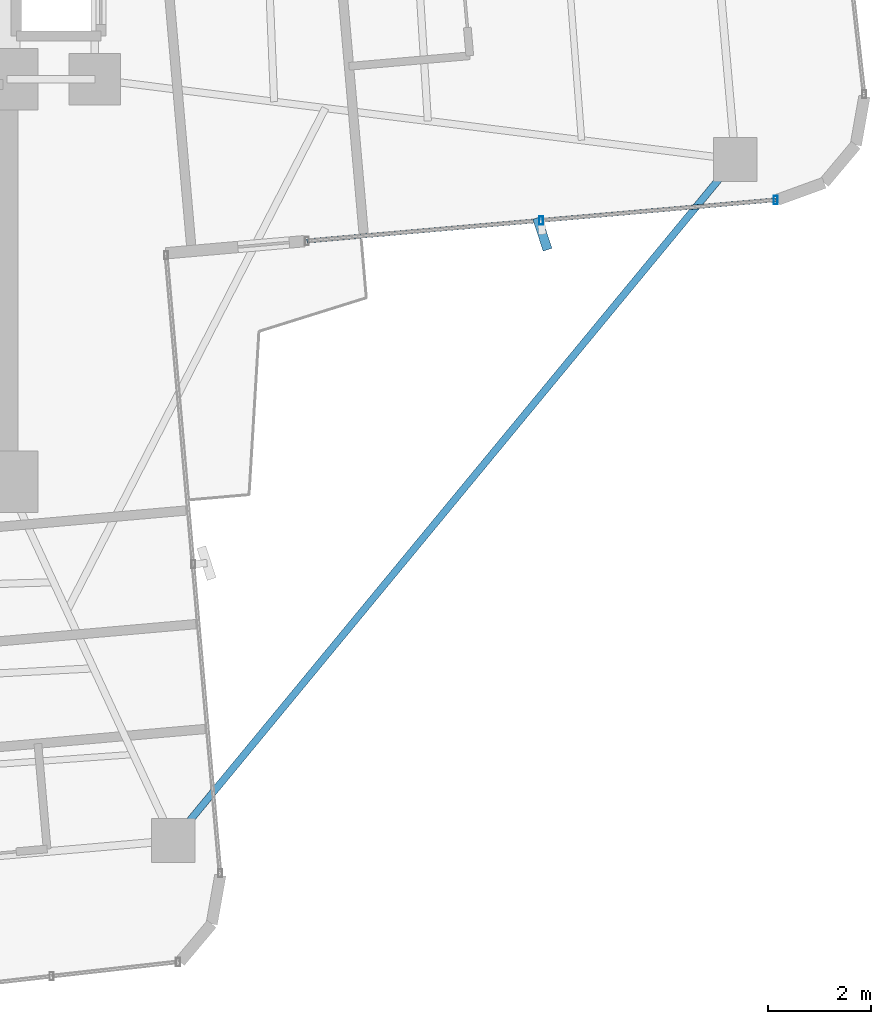
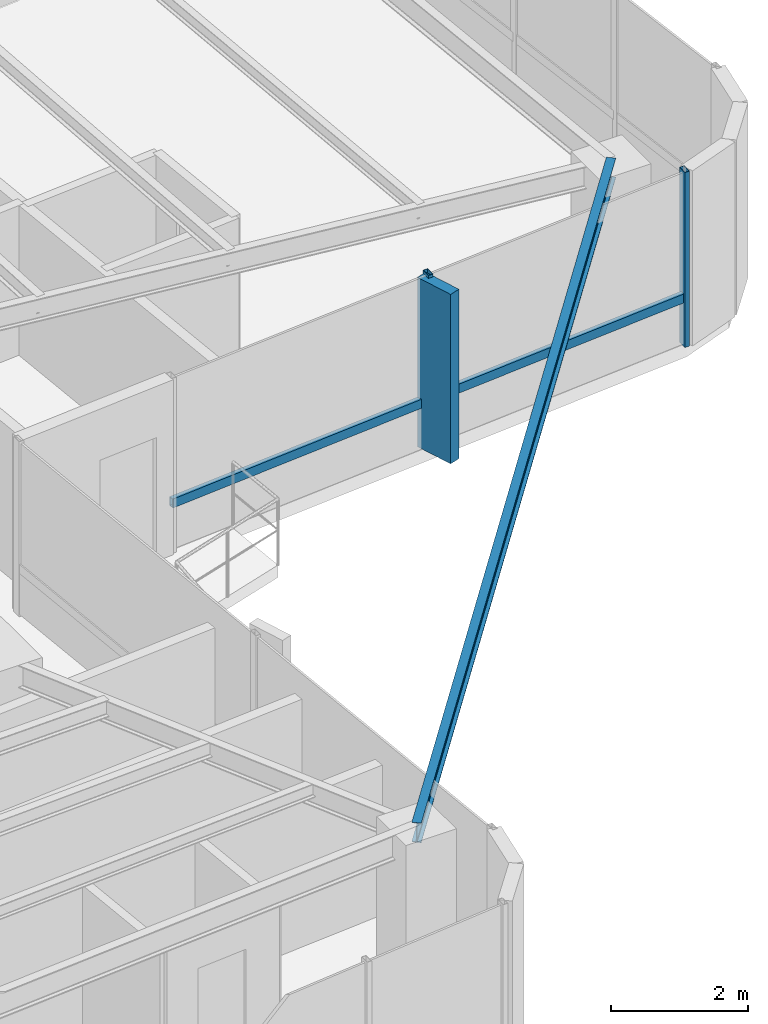
# One storey, part 13 of 24: 5 members, 1 beam, 1 element without a shape of its own.
"""IFC4 building model written with IfcOpenShell, lengths in metres."""

from ifc_helpers import new_model, si_unit, direction, frame, origin, origin_2d, place, context, subcontext, project, spatial, rectangle, hollow_rectangle, i_section, extrude, source, transform, mapped, material, material_profile, profile_set, type_object, element, aggregate, save


model = new_model("IFC4")

# Units and contexts
model_context = context("Model", 3, precision=1e-05, world=origin(), true_north=direction((0.0, 1.0)))
body_context = subcontext(model_context, "Body", "Model", "MODEL_VIEW")
ifc_project = project(units=[si_unit("LENGTHUNIT", "METRE"), si_unit("AREAUNIT", "SQUARE_METRE"), si_unit("VOLUMEUNIT", "CUBIC_METRE"), si_unit("PLANEANGLEUNIT", "RADIAN"), si_unit("MASSUNIT", "GRAM", prefix="KILO")], contexts=[model_context])

# Site, building, storey
site_placement = place(None, origin())
site = spatial("IfcSite", under=ifc_project, at=site_placement, CompositionType="ELEMENT")
building_placement = place(site_placement, origin())
building = spatial("IfcBuilding", under=site, at=building_placement, Name="Sahyath Konkavel Grand Hotel", CompositionType="ELEMENT")
storey_placement = place(building_placement, frame((0.0, 0.0, 195.300048828125)))
storey = spatial("IfcBuildingStorey", under=building, at=storey_placement, Name="L54", CompositionType="ELEMENT", Elevation=195.300048828125)

# Beam
ifc_material_1 = material(Name="Steel E350", Category="steel")
ifc_material_profile_1 = material_profile(ifc_material_1, i_section(OverallWidth=0.139892578125, OverallDepth=0.35009765625, WebThickness=0.008056640625, FlangeThickness=0.01416015625, FilletRadius=0.013916015625, at=origin_2d()), Name="ISMB 350")
ifc_profile_set_1 = profile_set([ifc_material_profile_1], Name="Steel E350")
beam_type = type_object("IfcBeamType", Name="BM-ISMB350", PredefinedType="BEAM", material=ifc_profile_set_1)
shared_shape_1 = source(origin(), body_context, "Body", "SweptSolid", [
    extrude(i_section(OverallWidth=0.139892578125, OverallDepth=0.35009765625, WebThickness=0.008056640625, FlangeThickness=0.01416015625, FilletRadius=0.013916015625, at=origin_2d()), origin(), (0.0, 0.0, 1.0), 17.112548828125),
])
beam_placement = place(storey_placement, frame((17.912841796875, -3.953857421875, 2.93505859375), z_axis=(-0.636437070092, -0.77132863023, 0.0), x_axis=(0.77132863023, -0.636437070092, 0.0)))
element("IfcBeam", 1, at=beam_placement, inside=storey, type_object=beam_type, Name="L54 Re-Entrant Tie Beam SE", PredefinedType="BEAM", context=body_context, shape_type="MappedRepresentation", body=[
    mapped(shared_shape_1, transform((0.0, 0.0, 0.0), scale=1.0)),
])

# Curtain wall, members
ifc_material_2 = material(Name="Anodised Bronze Aluminium & Low-E Glazing", Category="aluminium")
curtain_wall_type = type_object("IfcCurtainWallType", Name="CW-ZONE3", PredefinedType="NOTDEFINED", material=ifc_material_2)
curtain_wall_placement = place(storey_placement, origin())
curtain_wall = element("IfcCurtainWall", 2, at=curtain_wall_placement, inside=storey, type_object=curtain_wall_type, Name="L54 Unitised Curtain Wall F0", PredefinedType="NOTDEFINED")
ifc_material_3 = material(Name="Anodised Bronze Aluminium", Category="aluminium")
ifc_material_profile_2 = material_profile(ifc_material_3, hollow_rectangle(XDim=0.080078125, YDim=0.159912109375, WallThickness=0.006103515625, at=origin_2d()), Name="RHS 160x80x6")
ifc_profile_set_2 = profile_set([ifc_material_profile_2], Name="Anodised Bronze Aluminium")
member_type_1 = type_object("IfcMemberType", Name="CW-MUL-160", PredefinedType="MULLION", material=ifc_profile_set_2)
shared_shape_2 = source(origin(), body_context, "Body", "SweptSolid", [
    extrude(hollow_rectangle(XDim=0.080078125, YDim=0.159912109375, WallThickness=0.006103515625, at=origin_2d()), origin(), (0.0, 0.0, 1.0), 3.10986328125),
])
member_1_placement = place(storey_placement, frame((14.151611328125, -5.135986328125, 0.0), z_axis=(0.0, 0.0, 1.0), x_axis=(1.0, 0.0, 0.0)))
member_1 = element("IfcMember", 3, at=member_1_placement, type_object=member_type_1, Name="L54 Curtain Wall Mullion F0-1", PredefinedType="MULLION", context=body_context, shape_type="MappedRepresentation", body=[
    mapped(shared_shape_2, transform((0.0, 0.0, 0.0), scale=1.0)),
])
member_2_placement = place(storey_placement, frame((18.694091796875, -4.73876953125, 0.0), z_axis=(0.0, 0.0, 1.0), x_axis=(1.0, 0.0, 0.0)))
member_2 = element("IfcMember", 4, at=member_2_placement, type_object=member_type_1, Name="L54 Curtain Wall Mullion F0-2", PredefinedType="MULLION", context=body_context, shape_type="MappedRepresentation", body=[
    mapped(shared_shape_2, transform((0.0, 0.0, 0.0), scale=1.0)),
])
ifc_material_4 = material(Name="Warm Buff Sandstone Cladding on Concrete C50/60", Category="masonry")
ifc_material_profile_3 = material_profile(ifc_material_4, rectangle(XDim=0.179931640625, YDim=0.64990234375, at=origin_2d()), Name="FIN 180x650")
ifc_profile_set_3 = profile_set([ifc_material_profile_3], Name="Warm Buff Sandstone Cladding on Concrete C50/60")
member_type_2 = type_object("IfcMemberType", Name="FIN-SANDSTONE-650", PredefinedType="MULLION", material=ifc_profile_set_3)
shared_shape_3 = source(origin(), body_context, "Body", "SweptSolid", [
    extrude(rectangle(XDim=0.179931640625, YDim=0.64990234375, at=origin_2d()), origin(), (0.0, 0.0, 1.0), 3.010009765625),
])
member_3_placement = place(storey_placement, frame((14.17431640625, -5.39501953125, 0.050048828125), z_axis=(0.0, 0.0, 1.0), x_axis=(0.951056516295, 0.309016994375, 0.0)))
member_3 = element("IfcMember", 5, at=member_3_placement, type_object=member_type_2, Name="L54 Sandstone Vertical Solar Fin FIN F0-1", PredefinedType="MULLION", context=body_context, shape_type="MappedRepresentation", body=[
    mapped(shared_shape_3, transform((0.0, 0.0, 0.0), scale=1.0)),
])
ifc_material_profile_4 = material_profile(ifc_material_3, hollow_rectangle(XDim=0.080078125, YDim=0.159912109375, WallThickness=0.006103515625, at=origin_2d()), Name="RHS 160x80x6")
ifc_profile_set_4 = profile_set([ifc_material_profile_4], Name="Anodised Bronze Aluminium")
member_type_3 = type_object("IfcMemberType", Name="CW-TRN-160", PredefinedType="USERDEFINED", material=ifc_profile_set_4)
shared_shape_4 = source(origin(), body_context, "Body", "SweptSolid", [
    extrude(hollow_rectangle(XDim=0.080078125, YDim=0.159912109375, WallThickness=0.006103515625, at=origin_2d()), origin(), (0.0, 0.0, 1.0), 4.56005859375),
])
member_4_placement = place(storey_placement, frame((9.60888671875, -5.53369140625, 0.849853515625), z_axis=(0.996189590376, 0.087214104516, 0.0), x_axis=(-0.087214104516, 0.996189590376, 0.0)))
member_4 = element("IfcMember", 6, at=member_4_placement, type_object=member_type_3, Name="L54 Curtain Wall Transom F0-0-spandrel", ObjectType="TRANSOM", PredefinedType="USERDEFINED", context=body_context, shape_type="MappedRepresentation", body=[
    mapped(shared_shape_4, transform((0.0, 0.0, 0.0), scale=1.0)),
])
shared_shape_5 = source(origin(), body_context, "Body", "SweptSolid", [
    extrude(hollow_rectangle(XDim=0.080078125, YDim=0.159912109375, WallThickness=0.006103515625, at=origin_2d()), origin(), (0.0, 0.0, 1.0), 4.559814453125),
])
member_5_placement = place(storey_placement, frame((14.151611328125, -5.135986328125, 0.849853515625), z_axis=(0.99619848155, 0.087112486804, 0.0), x_axis=(-0.087112486804, 0.99619848155, 0.0)))
member_5 = element("IfcMember", 7, at=member_5_placement, type_object=member_type_3, Name="L54 Curtain Wall Transom F0-1-spandrel", ObjectType="TRANSOM", PredefinedType="USERDEFINED", context=body_context, shape_type="MappedRepresentation", body=[
    mapped(shared_shape_5, transform((0.0, 0.0, 0.0), scale=1.0)),
])
aggregate(curtain_wall, [member_1, member_3, member_2, member_4, member_5])

save(model, "model.ifc")
